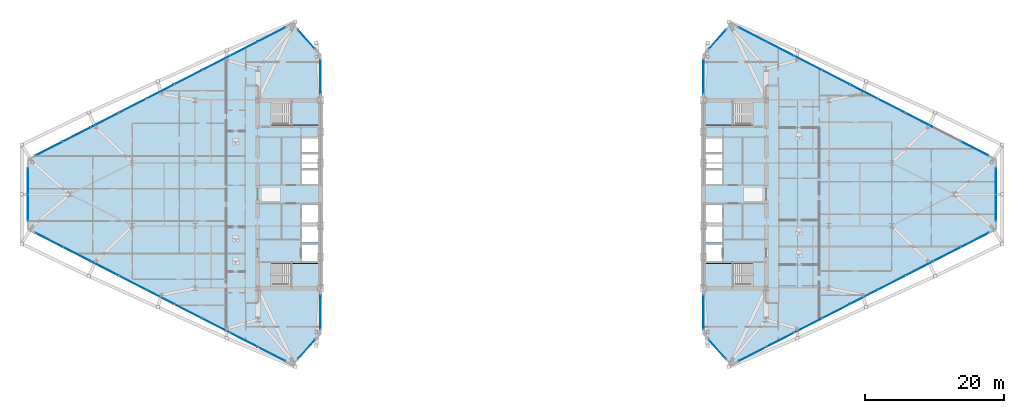
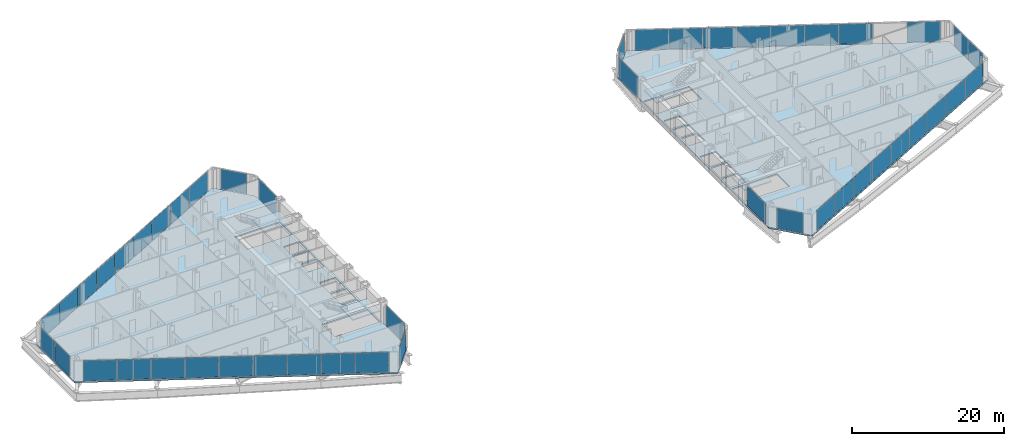
# One storey, part 17 of 28: 47 plates, 6 slabs, 18 elements without a shape of their own.
"""IFC4 building model written with IfcOpenShell, lengths in metres."""

from ifc_helpers import new_model, si_unit, direction, frame, origin, origin_2d, place, context, subcontext, project, spatial, polyline, rectangle, outline, extrude, source, transform, mapped, material, layer, layer_set, type_object, type_shapes, element, aggregate, save


model = new_model("IFC4")

# Units and contexts
model_context = context("Model", 3, precision=1e-05, world=origin(), true_north=direction((0.0, 1.0)))
body_context = subcontext(model_context, "Body", "Model", "MODEL_VIEW")
ifc_project = project(units=[si_unit("LENGTHUNIT", "METRE"), si_unit("AREAUNIT", "SQUARE_METRE"), si_unit("VOLUMEUNIT", "CUBIC_METRE"), si_unit("PLANEANGLEUNIT", "RADIAN"), si_unit("MASSUNIT", "GRAM", prefix="KILO")], contexts=[model_context])

# Site, building, storey
site_placement = place(None, origin())
site = spatial("IfcSite", under=ifc_project, at=site_placement, CompositionType="ELEMENT")
building_placement = place(site_placement, origin())
building = spatial("IfcBuilding", under=site, at=building_placement, Name="Seokmaru Belvedere", CompositionType="ELEMENT")
storey_placement = place(building_placement, frame((0.0, 0.0, 110.39990234375)))
storey = spatial("IfcBuildingStorey", under=building, at=storey_placement, Name="L29", CompositionType="ELEMENT", Elevation=110.39990234375)

# Stair, slab
ifc_material_1 = material(Name="Concrete C40 (40 MPa)", Category="concrete")
stair_type = type_object("IfcStairType", Name="Typical Tower Core Dog-Leg Stair 3600", PredefinedType="TWO_STRAIGHT_RUN_STAIR", material=ifc_material_1)
stair_1_placement = place(storey_placement, origin())
stair_1 = element("IfcStair", 1, at=stair_1_placement, inside=storey, type_object=stair_type, Name="L29 Special Escape Stair ST-W1", PredefinedType="TWO_STRAIGHT_RUN_STAIR")
ifc_layer_1 = layer(ifc_material_1, 0.199951171875)
ifc_layer_set_1 = layer_set([ifc_layer_1], Name="Concrete C40 (40 MPa)")
slab_type_1 = type_object("IfcSlabType", Name="Reinforced Concrete Stair Landing Slab 200", PredefinedType="LANDING", material=ifc_layer_set_1)
slab_1_placement = place(storey_placement, frame((0.0, 0.0, 1.60009765625)))
slab_1 = element("IfcSlab", 2, at=slab_1_placement, type_object=slab_type_1, Name="ST-W1 landing 1", PredefinedType="LANDING", context=body_context, shape_type="SweptSolid", body=[
    extrude(outline(polyline([(-31.8798828125, -13.239990234375), (-27.760009765625, -13.239990234375), (-27.760009765625, -9.949951171875), (-31.8798828125, -9.949951171875), (-31.8798828125, -13.239990234375)])), origin(), (0.0, 0.0, 1.0), 0.199951171875),
])
aggregate(stair_1, [slab_1])

stair_2_placement = place(storey_placement, origin())
stair_2 = element("IfcStair", 3, at=stair_2_placement, inside=storey, type_object=stair_type, Name="L29 Special Escape Stair ST-W2", PredefinedType="TWO_STRAIGHT_RUN_STAIR")
slab_2_placement = place(storey_placement, frame((0.0, 0.0, 1.60009765625)))
slab_2 = element("IfcSlab", 4, at=slab_2_placement, type_object=slab_type_1, Name="ST-W2 landing 1", PredefinedType="LANDING", context=body_context, shape_type="SweptSolid", body=[
    extrude(outline(polyline([(-31.8798828125, 9.949951171875), (-27.760009765625, 9.949951171875), (-27.760009765625, 13.239990234375), (-31.8798828125, 13.239990234375), (-31.8798828125, 9.949951171875)])), origin(), (0.0, 0.0, 1.0), 0.199951171875),
])
aggregate(stair_2, [slab_2])

stair_3_placement = place(storey_placement, origin())
stair_3 = element("IfcStair", 5, at=stair_3_placement, inside=storey, type_object=stair_type, Name="L29 Special Escape Stair ST-E1", PredefinedType="TWO_STRAIGHT_RUN_STAIR")
slab_3_placement = place(storey_placement, frame((0.0, 0.0, 1.60009765625)))
slab_3 = element("IfcSlab", 6, at=slab_3_placement, type_object=slab_type_1, Name="ST-E1 landing 1", PredefinedType="LANDING", context=body_context, shape_type="SweptSolid", body=[
    extrude(outline(polyline([(27.760009765625, -13.239990234375), (31.8798828125, -13.239990234375), (31.8798828125, -9.949951171875), (27.760009765625, -9.949951171875), (27.760009765625, -13.239990234375)])), origin(), (0.0, 0.0, 1.0), 0.199951171875),
])
aggregate(stair_3, [slab_3])

stair_4_placement = place(storey_placement, origin())
stair_4 = element("IfcStair", 7, at=stair_4_placement, inside=storey, type_object=stair_type, Name="L29 Special Escape Stair ST-E2", PredefinedType="TWO_STRAIGHT_RUN_STAIR")
slab_4_placement = place(storey_placement, frame((0.0, 0.0, 1.60009765625)))
slab_4 = element("IfcSlab", 8, at=slab_4_placement, type_object=slab_type_1, Name="ST-E2 landing 1", PredefinedType="LANDING", context=body_context, shape_type="SweptSolid", body=[
    extrude(outline(polyline([(27.760009765625, 9.949951171875), (31.8798828125, 9.949951171875), (31.8798828125, 13.239990234375), (27.760009765625, 13.239990234375), (27.760009765625, 9.949951171875)])), origin(), (0.0, 0.0, 1.0), 0.199951171875),
])
aggregate(stair_4, [slab_4])

# Slabs
ifc_layer_2 = layer(ifc_material_1, 0.219970703125)
ifc_layer_set_2 = layer_set([ifc_layer_2], Name="Concrete C40 (40 MPa)")
slab_type_2 = type_object("IfcSlabType", Name="Typical Tower Composite Floor Slab 220", PredefinedType="FLOOR", material=ifc_layer_set_2)
slab_5_placement = place(storey_placement, frame((0.0, 0.0, -0.219970703125)))
element("IfcSlab", 9, at=slab_5_placement, inside=storey, type_object=slab_type_2, Name="L29 West Leg Floor Slab", PredefinedType="FLOOR", context=body_context, shape_type="SweptSolid", body=[
    extrude(outline(polyline([(-27.5, -20.0), (-27.5, 20.0), (-31.5, 24.5), (-69.5, 5.0), (-69.5, -5.0), (-31.5, -24.5), (-27.5, -20.0)]), holes=[polyline([(-34.60009765625, -13.25), (-27.75, -13.25), (-27.75, -9.949951171875), (-34.60009765625, -9.949951171875), (-34.60009765625, -13.25)]), polyline([(-34.60009765625, 9.949951171875), (-27.75, 9.949951171875), (-27.75, 13.25), (-34.60009765625, 13.25), (-34.60009765625, 9.949951171875)]), polyline([(-30.14990234375, -9.550048828125), (-27.75, -9.550048828125), (-27.75, -7.25), (-30.14990234375, -7.25), (-30.14990234375, -9.550048828125)]), polyline([(-30.14990234375, -6.949951171875), (-27.75, -6.949951171875), (-27.75, -4.35009765625), (-30.14990234375, -4.35009765625), (-30.14990234375, -6.949951171875)]), polyline([(-30.14990234375, -4.050048828125), (-27.75, -4.050048828125), (-27.75, -1.449951171875), (-30.14990234375, -1.449951171875), (-30.14990234375, -4.050048828125)]), polyline([(-30.14990234375, 1.449951171875), (-27.75, 1.449951171875), (-27.75, 3.449951171875), (-30.14990234375, 3.449951171875), (-30.14990234375, 1.449951171875)]), polyline([(-30.14990234375, 3.75), (-27.75, 3.75), (-27.75, 5.75), (-30.14990234375, 5.75), (-30.14990234375, 3.75)]), polyline([(-30.14990234375, 6.050048828125), (-27.75, 6.050048828125), (-27.75, 8.050048828125), (-30.14990234375, 8.050048828125), (-30.14990234375, 6.050048828125)])]), origin(), (0.0, 0.0, 1.0), 0.219970703125),
])
slab_6_placement = place(storey_placement, frame((0.0, 0.0, -0.219970703125)))
element("IfcSlab", 10, at=slab_6_placement, inside=storey, type_object=slab_type_2, Name="L29 East Leg Floor Slab", PredefinedType="FLOOR", context=body_context, shape_type="SweptSolid", body=[
    extrude(outline(polyline([(31.5, -24.5), (69.5, -5.0), (69.5, 5.0), (31.5, 24.5), (27.5, 20.0), (27.5, -20.0), (31.5, -24.5)]), holes=[polyline([(27.75, -13.25), (34.60009765625, -13.25), (34.60009765625, -9.949951171875), (27.75, -9.949951171875), (27.75, -13.25)]), polyline([(27.75, 9.949951171875), (34.60009765625, 9.949951171875), (34.60009765625, 13.25), (27.75, 13.25), (27.75, 9.949951171875)]), polyline([(27.75, -9.550048828125), (30.14990234375, -9.550048828125), (30.14990234375, -7.25), (27.75, -7.25), (27.75, -9.550048828125)]), polyline([(27.75, -6.949951171875), (30.14990234375, -6.949951171875), (30.14990234375, -4.35009765625), (27.75, -4.35009765625), (27.75, -6.949951171875)]), polyline([(27.75, -4.050048828125), (30.14990234375, -4.050048828125), (30.14990234375, -1.449951171875), (27.75, -1.449951171875), (27.75, -4.050048828125)]), polyline([(27.75, 1.449951171875), (30.14990234375, 1.449951171875), (30.14990234375, 3.449951171875), (27.75, 3.449951171875), (27.75, 1.449951171875)]), polyline([(27.75, 3.75), (30.14990234375, 3.75), (30.14990234375, 5.75), (27.75, 5.75), (27.75, 3.75)]), polyline([(27.75, 6.050048828125), (30.14990234375, 6.050048828125), (30.14990234375, 8.050048828125), (27.75, 8.050048828125), (27.75, 6.050048828125)])]), origin(), (0.0, 0.0, 1.0), 0.219970703125),
])

# Curtain wall, plate
ifc_material_2 = material(Name="Bronze Triple Insulating Glass", Category="glass")
ifc_layer_3 = layer(ifc_material_2, 0.195068359375)
ifc_layer_set_3 = layer_set([ifc_layer_3], Name="Bronze Triple Insulating Glass")
curtain_wall_type = type_object("IfcCurtainWallType", Name="Sky-Lobby and Mid-Rise Curtain Wall System CW-4", PredefinedType="NOTDEFINED", material=ifc_layer_set_3)
curtain_wall_1_placement = place(storey_placement, origin())
curtain_wall_1 = element("IfcCurtainWall", 11, at=curtain_wall_1_placement, inside=storey, type_object=curtain_wall_type, Name="L29 Curtain Wall WSP_1", PredefinedType="NOTDEFINED")
ifc_layer_4 = layer(ifc_material_2, 0.035888671875)
ifc_layer_set_4 = layer_set([ifc_layer_4], Name="Bronze Triple Insulating Glass")
plate_type = type_object("IfcPlateType", Name="Bronze Triple Vision Glazing Panel 36", PredefinedType="CURTAIN_PANEL", material=ifc_layer_set_4)
shared_shape_1 = source(origin(), body_context, "Body", "SweptSolid", [
    extrude(rectangle(XDim=4.909912109375, YDim=0.035888671875, at=origin_2d()), origin(), (0.0, 0.0, 1.0), 3.25),
])
plate_1_placement = place(storey_placement, frame((-27.5, -16.905029296875, 0.065185546875), z_axis=(0.0, 0.0, 1.0), x_axis=(0.0, 1.0, 0.0)))
plate_1 = element("IfcPlate", 12, at=plate_1_placement, type_object=plate_type, Name="CW:L29:WSP_1 Glazing Panel 1-1", PredefinedType="CURTAIN_PANEL", context=body_context, shape_type="MappedRepresentation", body=[
    mapped(shared_shape_1, transform((0.0, 0.0, 0.0), scale=1.0)),
])
aggregate(curtain_wall_1, [plate_1])

curtain_wall_2_placement = place(storey_placement, origin())
curtain_wall_2 = element("IfcCurtainWall", 13, at=curtain_wall_2_placement, inside=storey, type_object=curtain_wall_type, Name="L29 Curtain Wall WSP_2", PredefinedType="NOTDEFINED")
plate_2_placement = place(storey_placement, frame((-27.5, 16.905029296875, 0.065185546875), z_axis=(0.0, 0.0, 1.0), x_axis=(0.0, 1.0, 0.0)))
plate_2 = element("IfcPlate", 14, at=plate_2_placement, type_object=plate_type, Name="CW:L29:WSP_2 Glazing Panel 1-1", PredefinedType="CURTAIN_PANEL", context=body_context, shape_type="MappedRepresentation", body=[
    mapped(shared_shape_1, transform((0.0, 0.0, 0.0), scale=1.0)),
])
aggregate(curtain_wall_2, [plate_2])

curtain_wall_3_placement = place(storey_placement, origin())
curtain_wall_3 = element("IfcCurtainWall", 15, at=curtain_wall_3_placement, inside=storey, type_object=curtain_wall_type, Name="L29 Curtain Wall ESP_1", PredefinedType="NOTDEFINED")
plate_3_placement = place(storey_placement, frame((27.5, -16.905029296875, 0.065185546875), z_axis=(0.0, 0.0, 1.0), x_axis=(0.0, -1.0, 0.0)))
plate_3 = element("IfcPlate", 16, at=plate_3_placement, type_object=plate_type, Name="CW:L29:ESP_1 Glazing Panel 1-1", PredefinedType="CURTAIN_PANEL", context=body_context, shape_type="MappedRepresentation", body=[
    mapped(shared_shape_1, transform((0.0, 0.0, 0.0), scale=1.0)),
])
aggregate(curtain_wall_3, [plate_3])

curtain_wall_4_placement = place(storey_placement, origin())
curtain_wall_4 = element("IfcCurtainWall", 17, at=curtain_wall_4_placement, inside=storey, type_object=curtain_wall_type, Name="L29 Curtain Wall ESP_2", PredefinedType="NOTDEFINED")
plate_4_placement = place(storey_placement, frame((27.5, 16.905029296875, 0.065185546875), z_axis=(0.0, 0.0, 1.0), x_axis=(0.0, -1.0, 0.0)))
plate_4 = element("IfcPlate", 18, at=plate_4_placement, type_object=plate_type, Name="CW:L29:ESP_2 Glazing Panel 1-1", PredefinedType="CURTAIN_PANEL", context=body_context, shape_type="MappedRepresentation", body=[
    mapped(shared_shape_1, transform((0.0, 0.0, 0.0), scale=1.0)),
])
aggregate(curtain_wall_4, [plate_4])

curtain_wall_5_placement = place(storey_placement, origin())
curtain_wall_5 = element("IfcCurtainWall", 19, at=curtain_wall_5_placement, inside=storey, type_object=curtain_wall_type, Name="L29 Curtain Wall WF2", PredefinedType="NOTDEFINED")
shared_shape_2 = source(origin(), body_context, "Body", "SweptSolid", [
    extrude(rectangle(XDim=3.580810546875, YDim=0.035888671875, at=origin_2d()), origin(), (0.0, 0.0, 1.0), 3.25),
])
plate_5_placement = place(storey_placement, frame((-29.5, 22.25, 0.065185546875), z_axis=(0.0, 0.0, 1.0), x_axis=(-0.664363325694, 0.747409774804, 0.0)))
plate_5 = element("IfcPlate", 20, at=plate_5_placement, type_object=plate_type, Name="CW:L29:WF2 Glazing Panel 1-1", PredefinedType="CURTAIN_PANEL", context=body_context, shape_type="MappedRepresentation", body=[
    mapped(shared_shape_2, transform((0.0, 0.0, 0.0), scale=1.0)),
])
aggregate(curtain_wall_5, [plate_5])

curtain_wall_6_placement = place(storey_placement, origin())
curtain_wall_6 = element("IfcCurtainWall", 21, at=curtain_wall_6_placement, inside=storey, type_object=curtain_wall_type, Name="L29 Curtain Wall WF6", PredefinedType="NOTDEFINED")
plate_6_placement = place(storey_placement, frame((-29.5, -22.25, 0.065185546875), z_axis=(0.0, 0.0, 1.0), x_axis=(0.664363325694, 0.747409774804, 0.0)))
plate_6 = element("IfcPlate", 22, at=plate_6_placement, type_object=plate_type, Name="CW:L29:WF6 Glazing Panel 1-1", PredefinedType="CURTAIN_PANEL", context=body_context, shape_type="MappedRepresentation", body=[
    mapped(shared_shape_2, transform((0.0, 0.0, 0.0), scale=1.0)),
])
aggregate(curtain_wall_6, [plate_6])

curtain_wall_7_placement = place(storey_placement, origin())
curtain_wall_7 = element("IfcCurtainWall", 23, at=curtain_wall_7_placement, inside=storey, type_object=curtain_wall_type, Name="L29 Curtain Wall EF4", PredefinedType="NOTDEFINED")
plate_7_placement = place(storey_placement, frame((29.5, 22.25, 0.065185546875), z_axis=(0.0, 0.0, 1.0), x_axis=(-0.664363325694, -0.747409774804, 0.0)))
plate_7 = element("IfcPlate", 24, at=plate_7_placement, type_object=plate_type, Name="CW:L29:EF4 Glazing Panel 1-1", PredefinedType="CURTAIN_PANEL", context=body_context, shape_type="MappedRepresentation", body=[
    mapped(shared_shape_2, transform((0.0, 0.0, 0.0), scale=1.0)),
])
aggregate(curtain_wall_7, [plate_7])

curtain_wall_8_placement = place(storey_placement, origin())
curtain_wall_8 = element("IfcCurtainWall", 25, at=curtain_wall_8_placement, inside=storey, type_object=curtain_wall_type, Name="L29 Curtain Wall EF6", PredefinedType="NOTDEFINED")
plate_8_placement = place(storey_placement, frame((29.5, -22.25, 0.065185546875), z_axis=(0.0, 0.0, 1.0), x_axis=(0.664363325694, -0.747409774804, 0.0)))
plate_8 = element("IfcPlate", 26, at=plate_8_placement, type_object=plate_type, Name="CW:L29:EF6 Glazing Panel 1-1", PredefinedType="CURTAIN_PANEL", context=body_context, shape_type="MappedRepresentation", body=[
    mapped(shared_shape_2, transform((0.0, 0.0, 0.0), scale=1.0)),
])
aggregate(curtain_wall_8, [plate_8])

# Curtain wall, plates
curtain_wall_9_placement = place(storey_placement, origin())
curtain_wall_9 = element("IfcCurtainWall", 27, at=curtain_wall_9_placement, inside=storey, type_object=curtain_wall_type, Name="L29 Curtain Wall WF3", PredefinedType="NOTDEFINED")
shared_shape_3 = source(origin(), body_context, "Body", "SweptSolid", [
    extrude(rectangle(XDim=4.38525390625, YDim=0.035888671875, at=origin_2d()), origin(), (0.0, 0.0, 1.0), 3.25),
])
plate_9_placement = place(storey_placement, frame((-34.5361328125, 22.94189453125, 0.065185546875), z_axis=(0.0, 0.0, 1.0), x_axis=(-0.889695432562, -0.456554528263, 0.0)))
plate_9 = element("IfcPlate", 28, at=plate_9_placement, type_object=plate_type, Name="CW:L29:WF3 Glazing Panel 1-1", PredefinedType="CURTAIN_PANEL", context=body_context, shape_type="MappedRepresentation", body=[
    mapped(shared_shape_3, transform((0.0, 0.0, 0.0), scale=1.0)),
])
plate_10_placement = place(storey_placement, frame((-66.4638671875, 6.55810546875, 0.065185546875), z_axis=(0.0, 0.0, 1.0), x_axis=(-0.889695432562, -0.456554528263, 0.0)))
plate_10 = element("IfcPlate", 29, at=plate_10_placement, type_object=plate_type, Name="CW:L29:WF3 Glazing Panel 9-1", PredefinedType="CURTAIN_PANEL", context=body_context, shape_type="MappedRepresentation", body=[
    mapped(shared_shape_3, transform((0.0, 0.0, 0.0), scale=1.0)),
])

curtain_wall_10_placement = place(storey_placement, origin())
curtain_wall_10 = element("IfcCurtainWall", 30, at=curtain_wall_10_placement, inside=storey, type_object=curtain_wall_type, Name="L29 Curtain Wall WF5", PredefinedType="NOTDEFINED")
plate_11_placement = place(storey_placement, frame((-66.4638671875, -6.55810546875, 0.065185546875), z_axis=(0.0, 0.0, 1.0), x_axis=(0.889695432562, -0.456554528263, 0.0)))
plate_11 = element("IfcPlate", 31, at=plate_11_placement, type_object=plate_type, Name="CW:L29:WF5 Glazing Panel 1-1", PredefinedType="CURTAIN_PANEL", context=body_context, shape_type="MappedRepresentation", body=[
    mapped(shared_shape_3, transform((0.0, 0.0, 0.0), scale=1.0)),
])
plate_12_placement = place(storey_placement, frame((-34.5361328125, -22.94189453125, 0.065185546875), z_axis=(0.0, 0.0, 1.0), x_axis=(0.889695432562, -0.456554528263, 0.0)))
plate_12 = element("IfcPlate", 32, at=plate_12_placement, type_object=plate_type, Name="CW:L29:WF5 Glazing Panel 9-1", PredefinedType="CURTAIN_PANEL", context=body_context, shape_type="MappedRepresentation", body=[
    mapped(shared_shape_3, transform((0.0, 0.0, 0.0), scale=1.0)),
])

curtain_wall_11_placement = place(storey_placement, origin())
curtain_wall_11 = element("IfcCurtainWall", 33, at=curtain_wall_11_placement, inside=storey, type_object=curtain_wall_type, Name="L29 Curtain Wall EF1", PredefinedType="NOTDEFINED")
plate_13_placement = place(storey_placement, frame((34.5361328125, -22.94189453125, 0.065185546875), z_axis=(0.0, 0.0, 1.0), x_axis=(0.889695432562, 0.456554528263, 0.0)))
plate_13 = element("IfcPlate", 34, at=plate_13_placement, type_object=plate_type, Name="CW:L29:EF1 Glazing Panel 1-1", PredefinedType="CURTAIN_PANEL", context=body_context, shape_type="MappedRepresentation", body=[
    mapped(shared_shape_3, transform((0.0, 0.0, 0.0), scale=1.0)),
])
plate_14_placement = place(storey_placement, frame((66.4638671875, -6.55810546875, 0.065185546875), z_axis=(0.0, 0.0, 1.0), x_axis=(0.889695432562, 0.456554528263, 0.0)))
plate_14 = element("IfcPlate", 35, at=plate_14_placement, type_object=plate_type, Name="CW:L29:EF1 Glazing Panel 9-1", PredefinedType="CURTAIN_PANEL", context=body_context, shape_type="MappedRepresentation", body=[
    mapped(shared_shape_3, transform((0.0, 0.0, 0.0), scale=1.0)),
])

curtain_wall_12_placement = place(storey_placement, origin())
curtain_wall_12 = element("IfcCurtainWall", 36, at=curtain_wall_12_placement, inside=storey, type_object=curtain_wall_type, Name="L29 Curtain Wall EF3", PredefinedType="NOTDEFINED")
plate_15_placement = place(storey_placement, frame((66.4638671875, 6.55810546875, 0.065185546875), z_axis=(0.0, 0.0, 1.0), x_axis=(-0.889695432562, 0.456554528263, 0.0)))
plate_15 = element("IfcPlate", 37, at=plate_15_placement, type_object=plate_type, Name="CW:L29:EF3 Glazing Panel 1-1", PredefinedType="CURTAIN_PANEL", context=body_context, shape_type="MappedRepresentation", body=[
    mapped(shared_shape_3, transform((0.0, 0.0, 0.0), scale=1.0)),
])
plate_16_placement = place(storey_placement, frame((34.5361328125, 22.94189453125, 0.065185546875), z_axis=(0.0, 0.0, 1.0), x_axis=(-0.889695432562, 0.456554528263, 0.0)))
plate_16 = element("IfcPlate", 38, at=plate_16_placement, type_object=plate_type, Name="CW:L29:EF3 Glazing Panel 9-1", PredefinedType="CURTAIN_PANEL", context=body_context, shape_type="MappedRepresentation", body=[
    mapped(shared_shape_3, transform((0.0, 0.0, 0.0), scale=1.0)),
])

# Plate
shared_shape_4 = source(origin(), body_context, "Body", "SweptSolid", [
    extrude(rectangle(XDim=4.420166015625, YDim=0.035888671875, at=origin_2d()), origin(), (0.0, 0.0, 1.0), 3.25),
])
plate_17_placement = place(storey_placement, frame((-38.515380859375, 20.89990234375, 0.065185546875), z_axis=(0.0, 0.0, 1.0), x_axis=(-0.889695432562, -0.456554528263, 0.0)))
plate_17 = element("IfcPlate", 39, at=plate_17_placement, type_object=plate_type, Name="CW:L29:WF3 Glazing Panel 2-1", PredefinedType="CURTAIN_PANEL", context=body_context, shape_type="MappedRepresentation", body=[
    mapped(shared_shape_4, transform((0.0, 0.0, 0.0), scale=1.0)),
])

plate_18_placement = place(storey_placement, frame((-42.51025390625, 18.85009765625, 0.065185546875), z_axis=(0.0, 0.0, 1.0), x_axis=(-0.889695432562, -0.456554528263, 0.0)))
plate_18 = element("IfcPlate", 40, at=plate_18_placement, type_object=plate_type, Name="CW:L29:WF3 Glazing Panel 3-1", PredefinedType="CURTAIN_PANEL", context=body_context, shape_type="MappedRepresentation", body=[
    mapped(shared_shape_4, transform((0.0, 0.0, 0.0), scale=1.0)),
])

plate_19_placement = place(storey_placement, frame((-46.505126953125, 16.800048828125, 0.065185546875), z_axis=(0.0, 0.0, 1.0), x_axis=(-0.889695432562, -0.456554528263, 0.0)))
plate_19 = element("IfcPlate", 41, at=plate_19_placement, type_object=plate_type, Name="CW:L29:WF3 Glazing Panel 4-1", PredefinedType="CURTAIN_PANEL", context=body_context, shape_type="MappedRepresentation", body=[
    mapped(shared_shape_4, transform((0.0, 0.0, 0.0), scale=1.0)),
])

plate_20_placement = place(storey_placement, frame((-50.5, 14.75, 0.065185546875), z_axis=(0.0, 0.0, 1.0), x_axis=(-0.889695432562, -0.456554528263, 0.0)))
plate_20 = element("IfcPlate", 42, at=plate_20_placement, type_object=plate_type, Name="CW:L29:WF3 Glazing Panel 5-1", PredefinedType="CURTAIN_PANEL", context=body_context, shape_type="MappedRepresentation", body=[
    mapped(shared_shape_4, transform((0.0, 0.0, 0.0), scale=1.0)),
])

plate_21_placement = place(storey_placement, frame((-54.494873046875, 12.699951171875, 0.065185546875), z_axis=(0.0, 0.0, 1.0), x_axis=(-0.889695432562, -0.456554528263, 0.0)))
plate_21 = element("IfcPlate", 43, at=plate_21_placement, type_object=plate_type, Name="CW:L29:WF3 Glazing Panel 6-1", PredefinedType="CURTAIN_PANEL", context=body_context, shape_type="MappedRepresentation", body=[
    mapped(shared_shape_4, transform((0.0, 0.0, 0.0), scale=1.0)),
])

plate_22_placement = place(storey_placement, frame((-58.48974609375, 10.64990234375, 0.065185546875), z_axis=(0.0, 0.0, 1.0), x_axis=(-0.889695432562, -0.456554528263, 0.0)))
plate_22 = element("IfcPlate", 44, at=plate_22_placement, type_object=plate_type, Name="CW:L29:WF3 Glazing Panel 7-1", PredefinedType="CURTAIN_PANEL", context=body_context, shape_type="MappedRepresentation", body=[
    mapped(shared_shape_4, transform((0.0, 0.0, 0.0), scale=1.0)),
])

plate_23_placement = place(storey_placement, frame((-62.484619140625, 8.60009765625, 0.065185546875), z_axis=(0.0, 0.0, 1.0), x_axis=(-0.889695432562, -0.456554528263, 0.0)))
plate_23 = element("IfcPlate", 45, at=plate_23_placement, type_object=plate_type, Name="CW:L29:WF3 Glazing Panel 8-1", PredefinedType="CURTAIN_PANEL", context=body_context, shape_type="MappedRepresentation", body=[
    mapped(shared_shape_4, transform((0.0, 0.0, 0.0), scale=1.0)),
])

aggregate(curtain_wall_9, [plate_9, plate_17, plate_18, plate_19, plate_20, plate_21, plate_22, plate_23, plate_10])

plate_24_placement = place(storey_placement, frame((-62.484619140625, -8.60009765625, 0.065185546875), z_axis=(0.0, 0.0, 1.0), x_axis=(0.889695432562, -0.456554528263, 0.0)))
plate_24 = element("IfcPlate", 46, at=plate_24_placement, type_object=plate_type, Name="CW:L29:WF5 Glazing Panel 2-1", PredefinedType="CURTAIN_PANEL", context=body_context, shape_type="MappedRepresentation", body=[
    mapped(shared_shape_4, transform((0.0, 0.0, 0.0), scale=1.0)),
])

plate_25_placement = place(storey_placement, frame((-58.48974609375, -10.64990234375, 0.065185546875), z_axis=(0.0, 0.0, 1.0), x_axis=(0.889695432562, -0.456554528263, 0.0)))
plate_25 = element("IfcPlate", 47, at=plate_25_placement, type_object=plate_type, Name="CW:L29:WF5 Glazing Panel 3-1", PredefinedType="CURTAIN_PANEL", context=body_context, shape_type="MappedRepresentation", body=[
    mapped(shared_shape_4, transform((0.0, 0.0, 0.0), scale=1.0)),
])

plate_26_placement = place(storey_placement, frame((-54.494873046875, -12.699951171875, 0.065185546875), z_axis=(0.0, 0.0, 1.0), x_axis=(0.889695432562, -0.456554528263, 0.0)))
plate_26 = element("IfcPlate", 48, at=plate_26_placement, type_object=plate_type, Name="CW:L29:WF5 Glazing Panel 4-1", PredefinedType="CURTAIN_PANEL", context=body_context, shape_type="MappedRepresentation", body=[
    mapped(shared_shape_4, transform((0.0, 0.0, 0.0), scale=1.0)),
])

plate_27_placement = place(storey_placement, frame((-50.5, -14.75, 0.065185546875), z_axis=(0.0, 0.0, 1.0), x_axis=(0.889695432562, -0.456554528263, 0.0)))
plate_27 = element("IfcPlate", 49, at=plate_27_placement, type_object=plate_type, Name="CW:L29:WF5 Glazing Panel 5-1", PredefinedType="CURTAIN_PANEL", context=body_context, shape_type="MappedRepresentation", body=[
    mapped(shared_shape_4, transform((0.0, 0.0, 0.0), scale=1.0)),
])

plate_28_placement = place(storey_placement, frame((-46.505126953125, -16.800048828125, 0.065185546875), z_axis=(0.0, 0.0, 1.0), x_axis=(0.889695432562, -0.456554528263, 0.0)))
plate_28 = element("IfcPlate", 50, at=plate_28_placement, type_object=plate_type, Name="CW:L29:WF5 Glazing Panel 6-1", PredefinedType="CURTAIN_PANEL", context=body_context, shape_type="MappedRepresentation", body=[
    mapped(shared_shape_4, transform((0.0, 0.0, 0.0), scale=1.0)),
])

plate_29_placement = place(storey_placement, frame((-42.51025390625, -18.85009765625, 0.065185546875), z_axis=(0.0, 0.0, 1.0), x_axis=(0.889695432562, -0.456554528263, 0.0)))
plate_29 = element("IfcPlate", 51, at=plate_29_placement, type_object=plate_type, Name="CW:L29:WF5 Glazing Panel 7-1", PredefinedType="CURTAIN_PANEL", context=body_context, shape_type="MappedRepresentation", body=[
    mapped(shared_shape_4, transform((0.0, 0.0, 0.0), scale=1.0)),
])

plate_30_placement = place(storey_placement, frame((-38.515380859375, -20.89990234375, 0.065185546875), z_axis=(0.0, 0.0, 1.0), x_axis=(0.889695432562, -0.456554528263, 0.0)))
plate_30 = element("IfcPlate", 52, at=plate_30_placement, type_object=plate_type, Name="CW:L29:WF5 Glazing Panel 8-1", PredefinedType="CURTAIN_PANEL", context=body_context, shape_type="MappedRepresentation", body=[
    mapped(shared_shape_4, transform((0.0, 0.0, 0.0), scale=1.0)),
])

aggregate(curtain_wall_10, [plate_11, plate_24, plate_25, plate_26, plate_27, plate_28, plate_29, plate_30, plate_12])

plate_31_placement = place(storey_placement, frame((38.515380859375, -20.89990234375, 0.065185546875), z_axis=(0.0, 0.0, 1.0), x_axis=(0.889695432562, 0.456554528263, 0.0)))
plate_31 = element("IfcPlate", 53, at=plate_31_placement, type_object=plate_type, Name="CW:L29:EF1 Glazing Panel 2-1", PredefinedType="CURTAIN_PANEL", context=body_context, shape_type="MappedRepresentation", body=[
    mapped(shared_shape_4, transform((0.0, 0.0, 0.0), scale=1.0)),
])

plate_32_placement = place(storey_placement, frame((42.51025390625, -18.85009765625, 0.065185546875), z_axis=(0.0, 0.0, 1.0), x_axis=(0.889695432562, 0.456554528263, 0.0)))
plate_32 = element("IfcPlate", 54, at=plate_32_placement, type_object=plate_type, Name="CW:L29:EF1 Glazing Panel 3-1", PredefinedType="CURTAIN_PANEL", context=body_context, shape_type="MappedRepresentation", body=[
    mapped(shared_shape_4, transform((0.0, 0.0, 0.0), scale=1.0)),
])

plate_33_placement = place(storey_placement, frame((46.505126953125, -16.800048828125, 0.065185546875), z_axis=(0.0, 0.0, 1.0), x_axis=(0.889695432562, 0.456554528263, 0.0)))
plate_33 = element("IfcPlate", 55, at=plate_33_placement, type_object=plate_type, Name="CW:L29:EF1 Glazing Panel 4-1", PredefinedType="CURTAIN_PANEL", context=body_context, shape_type="MappedRepresentation", body=[
    mapped(shared_shape_4, transform((0.0, 0.0, 0.0), scale=1.0)),
])

plate_34_placement = place(storey_placement, frame((50.5, -14.75, 0.065185546875), z_axis=(0.0, 0.0, 1.0), x_axis=(0.889695432562, 0.456554528263, 0.0)))
plate_34 = element("IfcPlate", 56, at=plate_34_placement, type_object=plate_type, Name="CW:L29:EF1 Glazing Panel 5-1", PredefinedType="CURTAIN_PANEL", context=body_context, shape_type="MappedRepresentation", body=[
    mapped(shared_shape_4, transform((0.0, 0.0, 0.0), scale=1.0)),
])

plate_35_placement = place(storey_placement, frame((54.494873046875, -12.699951171875, 0.065185546875), z_axis=(0.0, 0.0, 1.0), x_axis=(0.889695432562, 0.456554528263, 0.0)))
plate_35 = element("IfcPlate", 57, at=plate_35_placement, type_object=plate_type, Name="CW:L29:EF1 Glazing Panel 6-1", PredefinedType="CURTAIN_PANEL", context=body_context, shape_type="MappedRepresentation", body=[
    mapped(shared_shape_4, transform((0.0, 0.0, 0.0), scale=1.0)),
])

plate_36_placement = place(storey_placement, frame((58.48974609375, -10.64990234375, 0.065185546875), z_axis=(0.0, 0.0, 1.0), x_axis=(0.889695432562, 0.456554528263, 0.0)))
plate_36 = element("IfcPlate", 58, at=plate_36_placement, type_object=plate_type, Name="CW:L29:EF1 Glazing Panel 7-1", PredefinedType="CURTAIN_PANEL", context=body_context, shape_type="MappedRepresentation", body=[
    mapped(shared_shape_4, transform((0.0, 0.0, 0.0), scale=1.0)),
])

plate_37_placement = place(storey_placement, frame((62.484619140625, -8.60009765625, 0.065185546875), z_axis=(0.0, 0.0, 1.0), x_axis=(0.889695432562, 0.456554528263, 0.0)))
plate_37 = element("IfcPlate", 59, at=plate_37_placement, type_object=plate_type, Name="CW:L29:EF1 Glazing Panel 8-1", PredefinedType="CURTAIN_PANEL", context=body_context, shape_type="MappedRepresentation", body=[
    mapped(shared_shape_4, transform((0.0, 0.0, 0.0), scale=1.0)),
])

aggregate(curtain_wall_11, [plate_13, plate_31, plate_32, plate_33, plate_34, plate_35, plate_36, plate_37, plate_14])

plate_38_placement = place(storey_placement, frame((58.48974609375, 10.64990234375, 0.065185546875), z_axis=(0.0, 0.0, 1.0), x_axis=(-0.889695432562, 0.456554528263, 0.0)))
plate_38 = element("IfcPlate", 60, at=plate_38_placement, type_object=plate_type, Name="CW:L29:EF3 Glazing Panel 3-1", PredefinedType="CURTAIN_PANEL", context=body_context, shape_type="MappedRepresentation", body=[
    mapped(shared_shape_4, transform((0.0, 0.0, 0.0), scale=1.0)),
])

plate_39_placement = place(storey_placement, frame((54.494873046875, 12.699951171875, 0.065185546875), z_axis=(0.0, 0.0, 1.0), x_axis=(-0.889695432562, 0.456554528263, 0.0)))
plate_39 = element("IfcPlate", 61, at=plate_39_placement, type_object=plate_type, Name="CW:L29:EF3 Glazing Panel 4-1", PredefinedType="CURTAIN_PANEL", context=body_context, shape_type="MappedRepresentation", body=[
    mapped(shared_shape_4, transform((0.0, 0.0, 0.0), scale=1.0)),
])

plate_40_placement = place(storey_placement, frame((50.5, 14.75, 0.065185546875), z_axis=(0.0, 0.0, 1.0), x_axis=(-0.889695432562, 0.456554528263, 0.0)))
plate_40 = element("IfcPlate", 62, at=plate_40_placement, type_object=plate_type, Name="CW:L29:EF3 Glazing Panel 5-1", PredefinedType="CURTAIN_PANEL", context=body_context, shape_type="MappedRepresentation", body=[
    mapped(shared_shape_4, transform((0.0, 0.0, 0.0), scale=1.0)),
])

plate_41_placement = place(storey_placement, frame((46.505126953125, 16.800048828125, 0.065185546875), z_axis=(0.0, 0.0, 1.0), x_axis=(-0.889695432562, 0.456554528263, 0.0)))
plate_41 = element("IfcPlate", 63, at=plate_41_placement, type_object=plate_type, Name="CW:L29:EF3 Glazing Panel 6-1", PredefinedType="CURTAIN_PANEL", context=body_context, shape_type="MappedRepresentation", body=[
    mapped(shared_shape_4, transform((0.0, 0.0, 0.0), scale=1.0)),
])

plate_42_placement = place(storey_placement, frame((42.51025390625, 18.85009765625, 0.065185546875), z_axis=(0.0, 0.0, 1.0), x_axis=(-0.889695432562, 0.456554528263, 0.0)))
plate_42 = element("IfcPlate", 64, at=plate_42_placement, type_object=plate_type, Name="CW:L29:EF3 Glazing Panel 7-1", PredefinedType="CURTAIN_PANEL", context=body_context, shape_type="MappedRepresentation", body=[
    mapped(shared_shape_4, transform((0.0, 0.0, 0.0), scale=1.0)),
])

plate_43_placement = place(storey_placement, frame((38.515380859375, 20.89990234375, 0.065185546875), z_axis=(0.0, 0.0, 1.0), x_axis=(-0.889695432562, 0.456554528263, 0.0)))
plate_43 = element("IfcPlate", 65, at=plate_43_placement, type_object=plate_type, Name="CW:L29:EF3 Glazing Panel 8-1", PredefinedType="CURTAIN_PANEL", context=body_context, shape_type="MappedRepresentation", body=[
    mapped(shared_shape_4, transform((0.0, 0.0, 0.0), scale=1.0)),
])

aggregate(curtain_wall_12, [plate_15, plate_38, plate_39, plate_40, plate_41, plate_42, plate_43, plate_16])

# Curtain wall, plates
curtain_wall_13_placement = place(storey_placement, origin())
curtain_wall_13 = element("IfcCurtainWall", 66, at=curtain_wall_13_placement, inside=storey, type_object=curtain_wall_type, Name="L29 Curtain Wall WF4", PredefinedType="NOTDEFINED")
shared_shape_5 = source(origin(), body_context, "Body", "SweptSolid", [
    extrude(rectangle(XDim=3.7451171875, YDim=0.035888671875, at=origin_2d()), origin(), (0.0, 0.0, 1.0), 3.25),
])
type_shapes(plate_type, [shared_shape_1, shared_shape_2, shared_shape_3, shared_shape_4, shared_shape_5])
plate_44_placement = place(storey_placement, frame((-69.5, 1.907470703125, 0.065185546875), z_axis=(0.0, 0.0, 1.0), x_axis=(0.0, -1.0, 0.0)))
plate_44 = element("IfcPlate", 67, at=plate_44_placement, type_object=plate_type, Name="CW:L29:WF4 Glazing Panel 1-1", PredefinedType="CURTAIN_PANEL", context=body_context, shape_type="MappedRepresentation", body=[
    mapped(shared_shape_5, transform((0.0, 0.0, 0.0), scale=1.0)),
])
plate_45_placement = place(storey_placement, frame((-69.5, -1.907470703125, 0.065185546875), z_axis=(0.0, 0.0, 1.0), x_axis=(0.0, -1.0, 0.0)))
plate_45 = element("IfcPlate", 68, at=plate_45_placement, type_object=plate_type, Name="CW:L29:WF4 Glazing Panel 2-1", PredefinedType="CURTAIN_PANEL", context=body_context, shape_type="MappedRepresentation", body=[
    mapped(shared_shape_5, transform((0.0, 0.0, 0.0), scale=1.0)),
])
aggregate(curtain_wall_13, [plate_44, plate_45])

curtain_wall_14_placement = place(storey_placement, origin())
curtain_wall_14 = element("IfcCurtainWall", 69, at=curtain_wall_14_placement, inside=storey, type_object=curtain_wall_type, Name="L29 Curtain Wall EF2", PredefinedType="NOTDEFINED")
plate_46_placement = place(storey_placement, frame((69.5, -1.907470703125, 0.065185546875), z_axis=(0.0, 0.0, 1.0), x_axis=(0.0, 1.0, 0.0)))
plate_46 = element("IfcPlate", 70, at=plate_46_placement, type_object=plate_type, Name="CW:L29:EF2 Glazing Panel 1-1", PredefinedType="CURTAIN_PANEL", context=body_context, shape_type="MappedRepresentation", body=[
    mapped(shared_shape_5, transform((0.0, 0.0, 0.0), scale=1.0)),
])
plate_47_placement = place(storey_placement, frame((69.5, 1.907470703125, 0.065185546875), z_axis=(0.0, 0.0, 1.0), x_axis=(0.0, 1.0, 0.0)))
plate_47 = element("IfcPlate", 71, at=plate_47_placement, type_object=plate_type, Name="CW:L29:EF2 Glazing Panel 2-1", PredefinedType="CURTAIN_PANEL", context=body_context, shape_type="MappedRepresentation", body=[
    mapped(shared_shape_5, transform((0.0, 0.0, 0.0), scale=1.0)),
])
aggregate(curtain_wall_14, [plate_46, plate_47])

save(model, "model.ifc")
